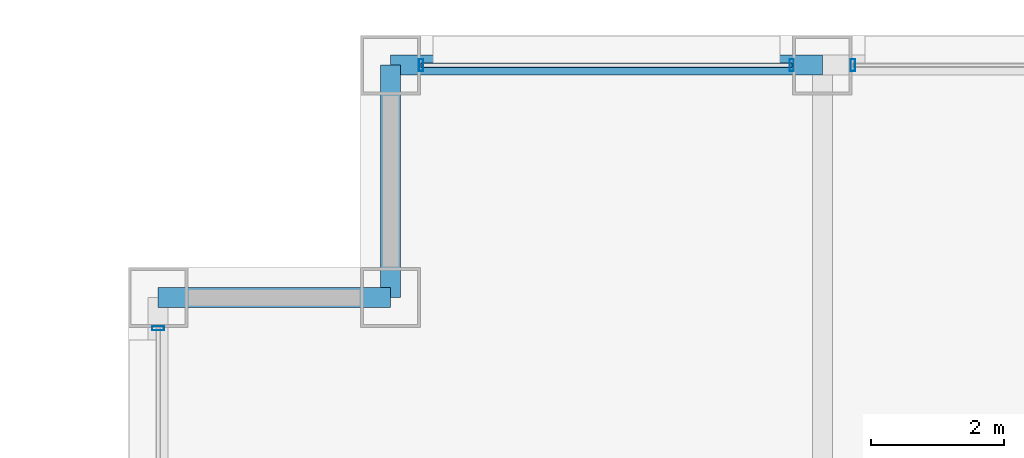
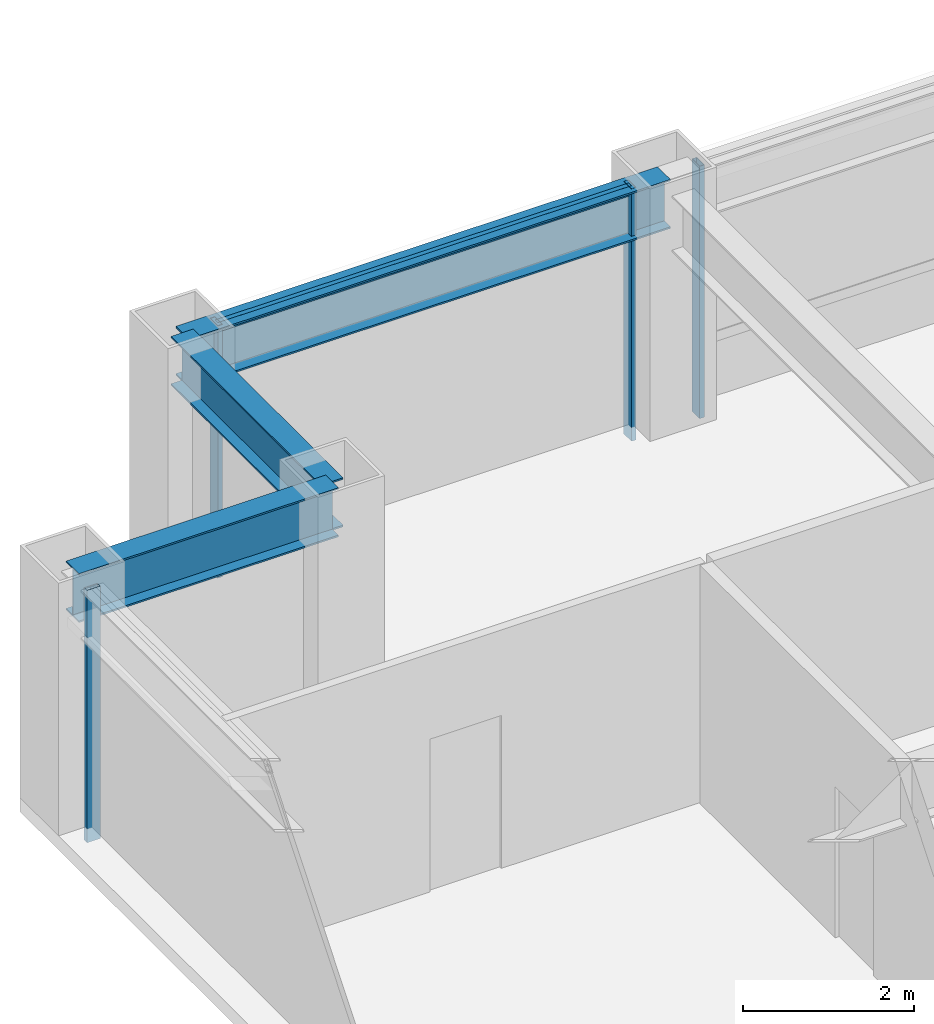
# One storey, part 17 of 30: 5 members, 3 beams, 3 elements without a shape of their own.
"""IFC4 building model written with IfcOpenShell, lengths in metres."""

from ifc_helpers import new_model, si_unit, direction, frame, origin, origin_2d, place, context, subcontext, project, spatial, hollow_rectangle, i_section, extrude, material, layer, layer_set, material_profile, profile_set, type_object, element, aggregate, save


model = new_model("IFC4")

# Units and contexts
model_context = context("Model", 3, precision=1e-05, world=origin(), true_north=direction((0.0, 1.0)))
body_context = subcontext(model_context, "Body", "Model", "MODEL_VIEW")
ifc_project = project(units=[si_unit("LENGTHUNIT", "METRE"), si_unit("AREAUNIT", "SQUARE_METRE"), si_unit("VOLUMEUNIT", "CUBIC_METRE"), si_unit("PLANEANGLEUNIT", "RADIAN"), si_unit("MASSUNIT", "GRAM", prefix="KILO")], contexts=[model_context])

# Site, building, storey
site_placement = place(None, origin())
site = spatial("IfcSite", under=ifc_project, at=site_placement, CompositionType="ELEMENT")
building_placement = place(site_placement, origin())
building = spatial("IfcBuilding", under=site, at=building_placement, Name="Brelmoor Portico Tower", CompositionType="ELEMENT")
storey_placement = place(building_placement, frame((0.0, 0.0, 74.39990234375)))
storey = spatial("IfcBuildingStorey", under=building, at=storey_placement, Name="L19", CompositionType="ELEMENT", Elevation=74.39990234375)

# Beams
ifc_material_1 = material(Name="Steel Q355B", Category="steel")
ifc_material_profile_1 = material_profile(ifc_material_1, i_section(OverallWidth=0.300048828125, OverallDepth=0.699951171875, WebThickness=0.012939453125, FlangeThickness=0.02392578125, at=origin_2d()), Name="HN 700x300x13x24")
ifc_profile_set_1 = profile_set([ifc_material_profile_1], Name="Steel Q355B")
beam_type = type_object("IfcBeamType", Name="BM-SP-700", PredefinedType="SPANDREL", material=ifc_profile_set_1)
beam_1_placement = place(storey_placement, frame((-24.550048828125, 18.050048828125, 3.050048828125), z_axis=(1.0, 0.0, 0.0), x_axis=(0.0, 1.0, 0.0)))
element("IfcBeam", 1, at=beam_1_placement, inside=storey, type_object=beam_type, Name="L19 Perimeter Spandrel Beam SP-08", PredefinedType="SPANDREL", context=body_context, shape_type="SweptSolid", body=[
    extrude(i_section(OverallWidth=0.300048828125, OverallDepth=0.699951171875, WebThickness=0.012939453125, FlangeThickness=0.02392578125, at=origin_2d()), origin(), (0.0, 0.0, 1.0), 3.5),
])
beam_2_placement = place(storey_placement, frame((-21.050048828125, 21.550048828125, 3.050048828125), z_axis=(1.0, 0.0, 0.0), x_axis=(0.0, 1.0, 0.0)))
element("IfcBeam", 2, at=beam_2_placement, inside=storey, type_object=beam_type, Name="L19 Perimeter Spandrel Beam SP-10", PredefinedType="SPANDREL", context=body_context, shape_type="SweptSolid", body=[
    extrude(i_section(OverallWidth=0.300048828125, OverallDepth=0.699951171875, WebThickness=0.012939453125, FlangeThickness=0.02392578125, at=origin_2d()), origin(), (0.0, 0.0, 1.0), 6.5),
])
beam_3_placement = place(storey_placement, frame((-21.050048828125, 18.050048828125, 3.050048828125), z_axis=(0.0, 1.0, 0.0), x_axis=(-1.0, 0.0, 0.0)))
element("IfcBeam", 3, at=beam_3_placement, inside=storey, type_object=beam_type, Name="L19 Perimeter Spandrel Beam SP-19", PredefinedType="SPANDREL", context=body_context, shape_type="SweptSolid", body=[
    extrude(i_section(OverallWidth=0.300048828125, OverallDepth=0.699951171875, WebThickness=0.012939453125, FlangeThickness=0.02392578125, at=origin_2d()), origin(), (0.0, 0.0, 1.0), 3.5),
])

# Curtain wall, members
ifc_material_2 = material(Name="Anodised Aluminium Alloy 6063-T6", Category="aluminium")
ifc_layer_1 = layer(ifc_material_2, 0.179931640625)
ifc_layer_set_1 = layer_set([ifc_layer_1], Name="Anodised Aluminium Alloy 6063-T6")
curtain_wall_type_1 = type_object("IfcCurtainWallType", Name="CW-TOWER-Z1-XB", PredefinedType="NOTDEFINED", material=ifc_layer_set_1)
curtain_wall_1_placement = place(storey_placement, origin())
curtain_wall_1 = element("IfcCurtainWall", 4, at=curtain_wall_1_placement, inside=storey, type_object=curtain_wall_type_1, Name="L19 Curtain Wall CW-L19-02-1", PredefinedType="NOTDEFINED")
ifc_material_profile_2 = material_profile(ifc_material_2, hollow_rectangle(XDim=0.06494140625, YDim=0.179931640625, WallThickness=0.00390625, at=origin_2d()), Name="ALU MULLION 65x180")
ifc_profile_set_2 = profile_set([ifc_material_profile_2], Name="Anodised Aluminium Alloy 6063-T6")
member_type_1 = type_object("IfcMemberType", Name="MB-CW-MULL-180", PredefinedType="MULLION", material=ifc_profile_set_2)
member_1_placement = place(storey_placement, frame((-20.590087890625, 21.550048828125, -0.199951171875), z_axis=(0.0, 0.0, 1.0), x_axis=(1.0, 0.0, 0.0)))
member_1 = element("IfcMember", 5, at=member_1_placement, type_object=member_type_1, Name="CW-L19-02-1 Mullion 00", PredefinedType="MULLION", context=body_context, shape_type="SweptSolid", body=[
    extrude(hollow_rectangle(XDim=0.06494140625, YDim=0.179931640625, WallThickness=0.00390625, at=origin_2d()), origin(), (0.0, 0.0, 1.0), 3.60009765625),
])
member_2_placement = place(storey_placement, frame((-15.010009765625, 21.550048828125, -0.199951171875), z_axis=(0.0, 0.0, 1.0), x_axis=(1.0, 0.0, 0.0)))
member_2 = element("IfcMember", 6, at=member_2_placement, type_object=member_type_1, Name="CW-L19-02-1 Mullion 01", PredefinedType="MULLION", context=body_context, shape_type="SweptSolid", body=[
    extrude(hollow_rectangle(XDim=0.06494140625, YDim=0.179931640625, WallThickness=0.00390625, at=origin_2d()), origin(), (0.0, 0.0, 1.0), 3.60009765625),
])

# Curtain wall, member
ifc_layer_2 = layer(ifc_material_2, 0.179931640625)
ifc_layer_set_2 = layer_set([ifc_layer_2], Name="Anodised Aluminium Alloy 6063-T6")
curtain_wall_type_2 = type_object("IfcCurtainWallType", Name="CW-TOWER-Z1", PredefinedType="NOTDEFINED", material=ifc_layer_set_2)
curtain_wall_2_placement = place(storey_placement, origin())
curtain_wall_2 = element("IfcCurtainWall", 7, at=curtain_wall_2_placement, inside=storey, type_object=curtain_wall_type_2, Name="L19 Curtain Wall CW-L19-02-2", PredefinedType="NOTDEFINED")
member_3_placement = place(storey_placement, frame((-14.090087890625, 21.550048828125, -0.199951171875), z_axis=(0.0, 0.0, 1.0), x_axis=(1.0, 0.0, 0.0)))
member_3 = element("IfcMember", 8, at=member_3_placement, type_object=member_type_1, Name="CW-L19-02-2 Mullion 00", PredefinedType="MULLION", context=body_context, shape_type="SweptSolid", body=[
    extrude(hollow_rectangle(XDim=0.06494140625, YDim=0.179931640625, WallThickness=0.00390625, at=origin_2d()), origin(), (0.0, 0.0, 1.0), 3.60009765625),
])
aggregate(curtain_wall_2, [member_3])

curtain_wall_3_placement = place(storey_placement, origin())
curtain_wall_3 = element("IfcCurtainWall", 9, at=curtain_wall_3_placement, inside=storey, type_object=curtain_wall_type_1, Name="L19 Curtain Wall CW-L19-3R-2", PredefinedType="NOTDEFINED")
member_4_placement = place(storey_placement, frame((-24.550048828125, 17.590087890625, -0.199951171875), z_axis=(0.0, 0.0, 1.0), x_axis=(0.0, 1.0, 0.0)))
member_4 = element("IfcMember", 10, at=member_4_placement, type_object=member_type_1, Name="CW-L19-3R-2 Mullion 01", PredefinedType="MULLION", context=body_context, shape_type="SweptSolid", body=[
    extrude(hollow_rectangle(XDim=0.06494140625, YDim=0.179931640625, WallThickness=0.00390625, at=origin_2d()), origin(), (0.0, 0.0, 1.0), 3.60009765625),
])
aggregate(curtain_wall_3, [member_4])

# Member
ifc_material_profile_3 = material_profile(ifc_material_2, hollow_rectangle(XDim=0.06494140625, YDim=0.139892578125, WallThickness=0.00390625, at=origin_2d()), Name="ALU TRANSOM 65x140")
ifc_profile_set_3 = profile_set([ifc_material_profile_3], Name="Anodised Aluminium Alloy 6063-T6")
member_type_2 = type_object("IfcMemberType", Name="MB-CW-TRAN-140", PredefinedType="USERDEFINED", material=ifc_profile_set_3)
member_5_placement = place(storey_placement, frame((-20.590087890625, 21.550048828125, 3.330078125), z_axis=(1.0, 0.0, 0.0), x_axis=(0.0, 1.0, 0.0)))
member_5 = element("IfcMember", 11, at=member_5_placement, type_object=member_type_2, Name="CW-L19-02-1 Transom 1-00", ObjectType="TRANSOM", PredefinedType="USERDEFINED", context=body_context, shape_type="SweptSolid", body=[
    extrude(hollow_rectangle(XDim=0.06494140625, YDim=0.139892578125, WallThickness=0.00390625, at=origin_2d()), origin(), (0.0, 0.0, 1.0), 5.580078125),
])

aggregate(curtain_wall_1, [member_1, member_2, member_5])

save(model, "model.ifc")
